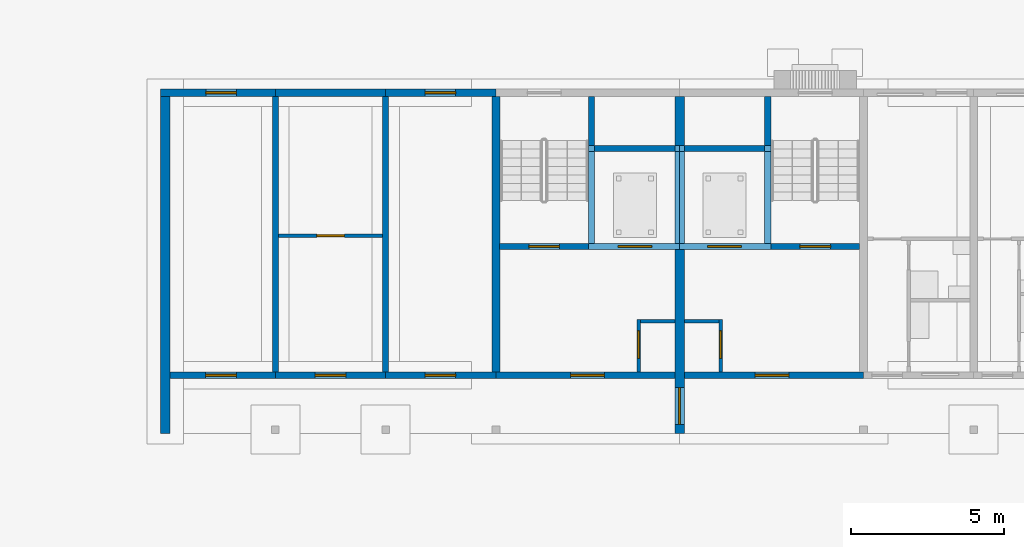
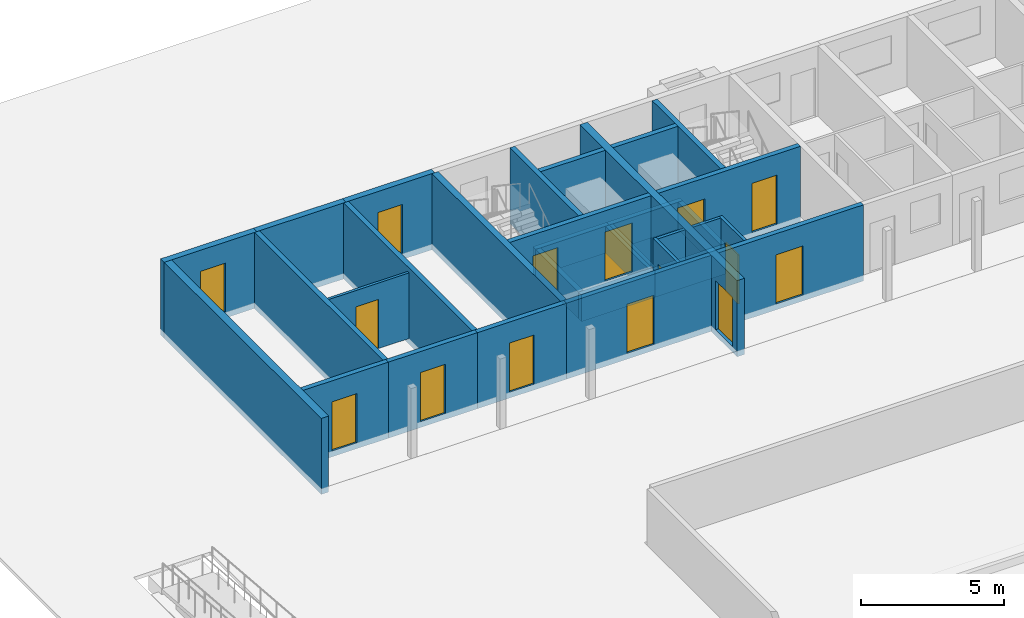
# One storey, part 47 of 112: 32 walls, 15 doors, 15 openings.
"""IFC4 building model written with IfcOpenShell, lengths in metres."""

from ifc_helpers import new_model, si_unit, direction, frame, frame_2d, origin, place, context, subcontext, project, spatial, rectangle, extrude, material, layer, layer_set, type_object, element, fill, save


model = new_model("IFC4")

# Units and contexts
model_context = context("Model", 3, precision=1e-05, world=origin(), true_north=direction((0.0, 1.0)))
body_context = subcontext(model_context, "Body", "Model", "MODEL_VIEW")
ifc_project = project(units=[si_unit("LENGTHUNIT", "METRE"), si_unit("AREAUNIT", "SQUARE_METRE"), si_unit("VOLUMEUNIT", "CUBIC_METRE"), si_unit("PLANEANGLEUNIT", "RADIAN"), si_unit("MASSUNIT", "GRAM", prefix="KILO")], contexts=[model_context])

# Site, building, storey
site_placement = place(None, origin())
site = spatial("IfcSite", under=ifc_project, at=site_placement, CompositionType="ELEMENT")
building_placement = place(site_placement, origin())
building = spatial("IfcBuilding", under=site, at=building_placement, Name="Ridgestep Commons", CompositionType="ELEMENT")
storey_placement = place(building_placement, origin())
storey = spatial("IfcBuildingStorey", under=building, at=storey_placement, Name="L00", CompositionType="ELEMENT", Elevation=0.0)

# Wall
ifc_material_1 = material(Name="Concrete C30/37", Category="concrete")
ifc_layer_1 = layer(ifc_material_1, 0.25)
ifc_layer_set_1 = layer_set([ifc_layer_1], Name="Core cross wall 250")
wall_type_1 = type_object("IfcWallType", Name="Core cross wall 250", PredefinedType="SHEAR", material=ifc_layer_set_1)
wall_1_placement = place(storey_placement, frame((22.800048828125, 68.0, -0.25), z_axis=(0.0, 0.0, 1.0), x_axis=(0.0, 1.0, 0.0)))
element("IfcWall", 1, at=wall_1_placement, inside=storey, type_object=wall_type_1, Name="Cross wall B-00-0228", PredefinedType="SHEAR", context=body_context, shape_type="SweptSolid", body=[
    extrude(rectangle(XDim=9.0, YDim=0.25, at=frame_2d((4.5, 0.0))), origin(), (0.0, 0.0, 1.0), 3.25),
])

# Wall, opening, door
ifc_material_2 = material(Name="Concrete C30/37", Category="concrete")
ifc_layer_2 = layer(ifc_material_2, 0.199951171875)
ifc_layer_set_2 = layer_set([ifc_layer_2], Name="Core south wall 200")
wall_type_2 = type_object("IfcWallType", Name="Core south wall 200", PredefinedType="SHEAR", material=ifc_layer_set_2)
wall_2_placement = place(storey_placement, frame((22.800048828125, 67.89990234375, -0.25), z_axis=(0.0, 0.0, 1.0), x_axis=(1.0, 0.0, 0.0)))
wall_2 = element("IfcWall", 2, at=wall_2_placement, inside=storey, type_object=wall_type_2, Name="Core south wall B1C L00", PredefinedType="SHEAR", context=body_context, shape_type="SweptSolid", body=[
    extrude(rectangle(XDim=5.849853515625, YDim=0.199951171875, at=frame_2d((2.9248046875, 0.0))), origin(), (0.0, 0.0, 1.0), 3.25),
])
opening_1_placement = place(wall_2_placement, frame((2.4375, 0.0, 0.25)))
opening_1 = element("IfcOpeningElement", 3, at=opening_1_placement, cuts=wall_2, Name="Opening B1C/00/1", PredefinedType="OPENING", context=body_context, shape_type="SweptSolid", body=[
    extrude(rectangle(XDim=1.10009765625, YDim=2.10009765625, at=frame_2d((0.550048828125, 1.050048828125))), frame((0.0, 0.10986328125, 0.0), z_axis=(0.0, -1.0, 0.0), x_axis=(1.0, 0.0, 0.0)), (0.0, 0.0, 1.0), 0.219970703125),
])
ifc_material_3 = material(Name="Steel fire door", Category="steel")
door_type_1 = type_object("IfcDoorType", Name="Lobby door 1100 x 2100 FD60", OperationType="NOTDEFINED", PredefinedType="DOOR", material=ifc_material_3)
door_1_placement = place(opening_1_placement, origin())
door_1 = element("IfcDoor", 4, at=door_1_placement, inside=storey, type_object=door_type_1, Name="Lobby door B1C/00/1", OperationType="SINGLE_SWING_LEFT", OverallHeight=2.10009765625, OverallWidth=1.10009765625, PredefinedType="DOOR", context=body_context, shape_type="SweptSolid", body=[
    extrude(rectangle(XDim=1.10009765625, YDim=2.10009765625, at=frame_2d((0.550048828125, 1.050048828125))), frame((0.0, 0.02490234375, 0.0), z_axis=(0.0, -1.0, 0.0), x_axis=(1.0, 0.0, 0.0)), (0.0, 0.0, 1.0), 0.050048828125),
])
fill(opening_1, door_1)

wall_3_placement = place(storey_placement, frame((28.949951171875, 67.89990234375, -0.25), z_axis=(0.0, 0.0, 1.0), x_axis=(1.0, 0.0, 0.0)))
wall_3 = element("IfcWall", 5, at=wall_3_placement, inside=storey, type_object=wall_type_2, Name="Core south wall B2C L00", PredefinedType="SHEAR", context=body_context, shape_type="SweptSolid", body=[
    extrude(rectangle(XDim=5.85009765625, YDim=0.199951171875, at=frame_2d((2.925048828125, 0.0))), origin(), (0.0, 0.0, 1.0), 3.25),
])
opening_2_placement = place(wall_3_placement, frame((2.3125, 0.0, 0.25)))
opening_2 = element("IfcOpeningElement", 6, at=opening_2_placement, cuts=wall_3, Name="Opening B2C/00/1", PredefinedType="OPENING", context=body_context, shape_type="SweptSolid", body=[
    extrude(rectangle(XDim=1.10009765625, YDim=2.10009765625, at=frame_2d((0.550048828125, 1.050048828125))), frame((0.0, 0.10986328125, 0.0), z_axis=(0.0, -1.0, 0.0), x_axis=(1.0, 0.0, 0.0)), (0.0, 0.0, 1.0), 0.219970703125),
])
door_2_placement = place(opening_2_placement, origin())
door_2 = element("IfcDoor", 7, at=door_2_placement, inside=storey, type_object=door_type_1, Name="Lobby door B2C/00/1", OperationType="SINGLE_SWING_LEFT", OverallHeight=2.10009765625, OverallWidth=1.10009765625, PredefinedType="DOOR", context=body_context, shape_type="SweptSolid", body=[
    extrude(rectangle(XDim=1.10009765625, YDim=2.10009765625, at=frame_2d((0.550048828125, 1.050048828125))), frame((0.0, 0.02490234375, 0.0), z_axis=(0.0, -1.0, 0.0), x_axis=(1.0, 0.0, 0.0)), (0.0, 0.0, 1.0), 0.050048828125),
])
fill(opening_2, door_2)

ifc_material_4 = material(Name="Concrete C30/37", Category="concrete")
ifc_layer_3 = layer(ifc_material_4, 0.1201171875)
ifc_layer_set_3 = layer_set([ifc_layer_3], Name="Core wall 120")
wall_type_3 = type_object("IfcWallType", Name="Core wall 120", PredefinedType="SHEAR", material=ifc_layer_set_3)
wall_4_placement = place(storey_placement, frame((27.4599609375, 68.0, -0.25), z_axis=(0.0, 0.0, 1.0), x_axis=(0.0, 1.0, 0.0)))
wall_4 = element("IfcWall", 8, at=wall_4_placement, inside=storey, type_object=wall_type_3, Name="Core riser w wall B1C L00", PredefinedType="SHEAR", context=body_context, shape_type="SweptSolid", body=[
    extrude(rectangle(XDim=1.719970703125, YDim=0.1201171875, at=frame_2d((0.85986328125, 0.0))), origin(), (0.0, 0.0, 1.0), 3.25),
])
opening_3_placement = place(wall_4_placement, frame((0.449951171875, 0.0, 0.25)))
opening_3 = element("IfcOpeningElement", 9, at=opening_3_placement, cuts=wall_4, Name="Opening B1C/00/4", PredefinedType="OPENING", context=body_context, shape_type="SweptSolid", body=[
    extrude(rectangle(XDim=0.89990234375, YDim=2.10009765625, at=frame_2d((0.449951171875, 1.050048828125))), frame((0.0, 0.070068359375, 0.0), z_axis=(0.0, -1.0, 0.0), x_axis=(1.0, 0.0, 0.0)), (0.0, 0.0, 1.0), 0.14013671875),
])
ifc_material_5 = material(Name="Steel fire door", Category="steel")
door_type_2 = type_object("IfcDoorType", Name="Riser door 900 x 2100 FD60", OperationType="NOTDEFINED", PredefinedType="DOOR", material=ifc_material_5)
door_3_placement = place(opening_3_placement, origin())
door_3 = element("IfcDoor", 10, at=door_3_placement, inside=storey, type_object=door_type_2, Name="Riser door B1C/00/4", OperationType="SINGLE_SWING_LEFT", OverallHeight=2.10009765625, OverallWidth=0.89990234375, PredefinedType="DOOR", context=body_context, shape_type="SweptSolid", body=[
    extrude(rectangle(XDim=0.89990234375, YDim=2.10009765625, at=frame_2d((0.449951171875, 1.050048828125))), frame((0.0, 0.02490234375, 0.0), z_axis=(0.0, -1.0, 0.0), x_axis=(1.0, 0.0, 0.0)), (0.0, 0.0, 1.0), 0.050048828125),
])
fill(opening_3, door_3)

# Wall
wall_5_placement = place(storey_placement, frame((27.52001953125, 69.659912109375, -0.25), z_axis=(0.0, 0.0, 1.0), x_axis=(1.0, 0.0, 0.0)))
element("IfcWall", 11, at=wall_5_placement, inside=storey, type_object=wall_type_3, Name="Core riser n wall B1C L00", PredefinedType="SHEAR", context=body_context, shape_type="SweptSolid", body=[
    extrude(rectangle(XDim=1.1298828125, YDim=0.1201171875, at=frame_2d((0.56494140625, 0.0))), origin(), (0.0, 0.0, 1.0), 3.25),
])

# Wall, opening, door
wall_6_placement = place(storey_placement, frame((30.139892578125, 68.0, -0.25), z_axis=(0.0, 0.0, 1.0), x_axis=(0.0, 1.0, 0.0)))
wall_6 = element("IfcWall", 12, at=wall_6_placement, inside=storey, type_object=wall_type_3, Name="Core riser w wall B2C L00", PredefinedType="SHEAR", context=body_context, shape_type="SweptSolid", body=[
    extrude(rectangle(XDim=1.719970703125, YDim=0.1201171875, at=frame_2d((0.85986328125, 0.0))), origin(), (0.0, 0.0, 1.0), 3.25),
])
opening_4_placement = place(wall_6_placement, frame((0.449951171875, 0.0, 0.25)))
opening_4 = element("IfcOpeningElement", 13, at=opening_4_placement, cuts=wall_6, Name="Opening B2C/00/4", PredefinedType="OPENING", context=body_context, shape_type="SweptSolid", body=[
    extrude(rectangle(XDim=0.89990234375, YDim=2.10009765625, at=frame_2d((0.449951171875, 1.050048828125))), frame((0.0, 0.070068359375, 0.0), z_axis=(0.0, -1.0, 0.0), x_axis=(1.0, 0.0, 0.0)), (0.0, 0.0, 1.0), 0.14013671875),
])
door_4_placement = place(opening_4_placement, origin())
door_4 = element("IfcDoor", 14, at=door_4_placement, inside=storey, type_object=door_type_2, Name="Riser door B2C/00/4", OperationType="SINGLE_SWING_RIGHT", OverallHeight=2.10009765625, OverallWidth=0.89990234375, PredefinedType="DOOR", context=body_context, shape_type="SweptSolid", body=[
    extrude(rectangle(XDim=0.89990234375, YDim=2.10009765625, at=frame_2d((0.449951171875, 1.050048828125))), frame((0.0, 0.02490234375, 0.0), z_axis=(0.0, -1.0, 0.0), x_axis=(1.0, 0.0, 0.0)), (0.0, 0.0, 1.0), 0.050048828125),
])
fill(opening_4, door_4)

# Walls
wall_7_placement = place(storey_placement, frame((28.949951171875, 69.659912109375, -0.25), z_axis=(0.0, 0.0, 1.0), x_axis=(1.0, 0.0, 0.0)))
element("IfcWall", 15, at=wall_7_placement, inside=storey, type_object=wall_type_3, Name="Core riser n wall B2C L00", PredefinedType="SHEAR", context=body_context, shape_type="SweptSolid", body=[
    extrude(rectangle(XDim=1.130126953125, YDim=0.1201171875, at=frame_2d((0.56494140625, 0.0))), origin(), (0.0, 0.0, 1.0), 3.25),
])
ifc_material_6 = material(Name="Concrete C30/37", Category="concrete")
ifc_layer_4 = layer(ifc_material_6, 0.14990234375)
ifc_layer_set_4 = layer_set([ifc_layer_4], Name="Core wall 150")
wall_type_4 = type_object("IfcWallType", Name="Core wall 150", PredefinedType="SHEAR", material=ifc_layer_set_4)
for number, where, z_axis, x_axis, name in (
    (16, (28.72509765625, 72.199951171875, -1.39990234375), (0.0, 0.0, 1.0), (0.0, 1.0, 0.0), "Lift pit wall B1C"),
    (17, (28.875, 72.199951171875, -1.39990234375), (0.0, 0.0, 1.0), (0.0, 1.0, 0.0), "Lift pit wall B2C"),
):
    element("IfcWall", number, at=place(storey_placement, frame(where, z_axis=z_axis, x_axis=x_axis)), inside=storey, type_object=wall_type_4, Name=name, PredefinedType="SHEAR", context=body_context, shape_type="SweptSolid", body=[
        extrude(rectangle(XDim=3.0, YDim=0.14990234375, at=frame_2d((1.5, 0.0))), origin(), (0.0, 0.0, 1.0), 1.14990234375),
    ])

# Wall, openings, doors
ifc_material_7 = material(Name="Concrete C30/37", Category="concrete")
ifc_layer_5 = layer(ifc_material_7, 0.199951171875)
ifc_layer_set_5 = layer_set([ifc_layer_5], Name="Core wall 200")
wall_type_5 = type_object("IfcWallType", Name="Core wall 200", PredefinedType="SHEAR", material=ifc_layer_set_5)
wall_8_placement = place(storey_placement, frame((22.925048828125, 72.10009765625, -0.25), z_axis=(0.0, 0.0, 1.0), x_axis=(1.0, 0.0, 0.0)))
wall_8 = element("IfcWall", 18, at=wall_8_placement, inside=storey, type_object=wall_type_5, Name="Core lobby wall B1C L00", PredefinedType="SHEAR", context=body_context, shape_type="SweptSolid", body=[
    extrude(rectangle(XDim=5.724853515625, YDim=0.199951171875, at=frame_2d((2.8623046875, 0.0))), origin(), (0.0, 0.0, 1.0), 3.25),
])
opening_5_placement = place(wall_8_placement, frame((0.949951171875, 0.0, 0.25)))
opening_5 = element("IfcOpeningElement", 19, at=opening_5_placement, cuts=wall_8, Name="Opening B1C/00/2", PredefinedType="OPENING", context=body_context, shape_type="SweptSolid", body=[
    extrude(rectangle(XDim=1.0, YDim=2.10009765625, at=frame_2d((0.5, 1.050048828125))), frame((0.0, 0.10986328125, 0.0), z_axis=(0.0, -1.0, 0.0), x_axis=(1.0, 0.0, 0.0)), (0.0, 0.0, 1.0), 0.219970703125),
])
opening_6_placement = place(wall_8_placement, frame((3.862548828125, 0.0, 0.25)))
opening_6 = element("IfcOpeningElement", 20, at=opening_6_placement, cuts=wall_8, Name="Opening B1C/00/3", PredefinedType="OPENING", context=body_context, shape_type="SweptSolid", body=[
    extrude(rectangle(XDim=1.10009765625, YDim=2.10009765625, at=frame_2d((0.550048828125, 1.050048828125))), frame((0.0, 0.10986328125, 0.0), z_axis=(0.0, -1.0, 0.0), x_axis=(1.0, 0.0, 0.0)), (0.0, 0.0, 1.0), 0.219970703125),
])
ifc_material_8 = material(Name="Stainless steel", Category="steel")
door_type_3 = type_object("IfcDoorType", Name="Lift landing door 1100 x 2100 FD60", OperationType="DOUBLE_DOOR_SLIDING", PredefinedType="DOOR", material=ifc_material_8)
door_5_placement = place(opening_6_placement, origin())
door_5 = element("IfcDoor", 21, at=door_5_placement, inside=storey, type_object=door_type_3, Name="Landing door LD B1C L00", OperationType="DOUBLE_DOOR_SLIDING", OverallHeight=2.10009765625, OverallWidth=1.10009765625, PredefinedType="DOOR", context=body_context, shape_type="SweptSolid", body=[
    extrude(rectangle(XDim=1.10009765625, YDim=2.10009765625, at=frame_2d((0.550048828125, 1.050048828125))), frame((0.0, 0.02490234375, 0.0), z_axis=(0.0, -1.0, 0.0), x_axis=(1.0, 0.0, 0.0)), (0.0, 0.0, 1.0), 0.050048828125),
])
fill(opening_6, door_5)
ifc_material_9 = material(Name="Steel fire door", Category="steel")
door_type_4 = type_object("IfcDoorType", Name="Stair door 1000 x 2100 FD60", OperationType="NOTDEFINED", PredefinedType="DOOR", material=ifc_material_9)
door_6_placement = place(opening_5_placement, origin())
door_6 = element("IfcDoor", 22, at=door_6_placement, inside=storey, type_object=door_type_4, Name="Stair door B1C/00/2", OperationType="SINGLE_SWING_RIGHT", OverallHeight=2.10009765625, OverallWidth=1.0, PredefinedType="DOOR", context=body_context, shape_type="SweptSolid", body=[
    extrude(rectangle(XDim=1.0, YDim=2.10009765625, at=frame_2d((0.5, 1.050048828125))), frame((0.0, 0.02490234375, 0.0), z_axis=(0.0, -1.0, 0.0), x_axis=(1.0, 0.0, 0.0)), (0.0, 0.0, 1.0), 0.050048828125),
])
fill(opening_5, door_6)

# Walls
wall_9_placement = place(storey_placement, frame((25.925048828125, 72.199951171875, -0.25), z_axis=(0.0, 0.0, 1.0), x_axis=(0.0, 1.0, 0.0)))
element("IfcWall", 23, at=wall_9_placement, inside=storey, type_object=wall_type_5, Name="Core stair wall B1C L00", PredefinedType="SHEAR", context=body_context, shape_type="SweptSolid", body=[
    extrude(rectangle(XDim=4.800048828125, YDim=0.199951171875, at=frame_2d((2.39990234375, 0.0))), origin(), (0.0, 0.0, 1.0), 3.25),
])
wall_10_placement = place(storey_placement, frame((26.02490234375, 75.300048828125, -0.25), z_axis=(0.0, 0.0, 1.0), x_axis=(1.0, 0.0, 0.0)))
element("IfcWall", 24, at=wall_10_placement, inside=storey, type_object=wall_type_5, Name="Core duct wall B1C L00", PredefinedType="SHEAR", context=body_context, shape_type="SweptSolid", body=[
    extrude(rectangle(XDim=2.625, YDim=0.199951171875, at=frame_2d((1.3125, 0.0))), origin(), (0.0, 0.0, 1.0), 3.25),
])

# Wall, openings, doors
wall_11_placement = place(storey_placement, frame((28.949951171875, 72.10009765625, -0.25), z_axis=(0.0, 0.0, 1.0), x_axis=(1.0, 0.0, 0.0)))
wall_11 = element("IfcWall", 25, at=wall_11_placement, inside=storey, type_object=wall_type_5, Name="Core lobby wall B2C L00", PredefinedType="SHEAR", context=body_context, shape_type="SweptSolid", body=[
    extrude(rectangle(XDim=5.72509765625, YDim=0.199951171875, at=frame_2d((2.862548828125, 0.0))), origin(), (0.0, 0.0, 1.0), 3.25),
])
opening_7_placement = place(wall_11_placement, frame((3.77490234375, 0.0, 0.25)))
opening_7 = element("IfcOpeningElement", 26, at=opening_7_placement, cuts=wall_11, Name="Opening B2C/00/2", PredefinedType="OPENING", context=body_context, shape_type="SweptSolid", body=[
    extrude(rectangle(XDim=1.0, YDim=2.10009765625, at=frame_2d((0.5, 1.050048828125))), frame((0.0, 0.10986328125, 0.0), z_axis=(0.0, -1.0, 0.0), x_axis=(1.0, 0.0, 0.0)), (0.0, 0.0, 1.0), 0.219970703125),
])
opening_8_placement = place(wall_11_placement, frame((0.762451171875, 0.0, 0.25)))
opening_8 = element("IfcOpeningElement", 27, at=opening_8_placement, cuts=wall_11, Name="Opening B2C/00/3", PredefinedType="OPENING", context=body_context, shape_type="SweptSolid", body=[
    extrude(rectangle(XDim=1.10009765625, YDim=2.10009765625, at=frame_2d((0.550048828125, 1.050048828125))), frame((0.0, 0.10986328125, 0.0), z_axis=(0.0, -1.0, 0.0), x_axis=(1.0, 0.0, 0.0)), (0.0, 0.0, 1.0), 0.219970703125),
])
door_7_placement = place(opening_8_placement, origin())
door_7 = element("IfcDoor", 28, at=door_7_placement, inside=storey, type_object=door_type_3, Name="Landing door LD B2C L00", OperationType="DOUBLE_DOOR_SLIDING", OverallHeight=2.10009765625, OverallWidth=1.10009765625, PredefinedType="DOOR", context=body_context, shape_type="SweptSolid", body=[
    extrude(rectangle(XDim=1.10009765625, YDim=2.10009765625, at=frame_2d((0.550048828125, 1.050048828125))), frame((0.0, 0.02490234375, 0.0), z_axis=(0.0, -1.0, 0.0), x_axis=(1.0, 0.0, 0.0)), (0.0, 0.0, 1.0), 0.050048828125),
])
fill(opening_8, door_7)
door_8_placement = place(opening_7_placement, origin())
door_8 = element("IfcDoor", 29, at=door_8_placement, inside=storey, type_object=door_type_4, Name="Stair door B2C/00/2", OperationType="SINGLE_SWING_RIGHT", OverallHeight=2.10009765625, OverallWidth=1.0, PredefinedType="DOOR", context=body_context, shape_type="SweptSolid", body=[
    extrude(rectangle(XDim=1.0, YDim=2.10009765625, at=frame_2d((0.5, 1.050048828125))), frame((0.0, 0.02490234375, 0.0), z_axis=(0.0, -1.0, 0.0), x_axis=(1.0, 0.0, 0.0)), (0.0, 0.0, 1.0), 0.050048828125),
])
fill(opening_7, door_8)

# Walls
wall_12_placement = place(storey_placement, frame((31.675048828125, 72.199951171875, -0.25), z_axis=(0.0, 0.0, 1.0), x_axis=(0.0, 1.0, 0.0)))
element("IfcWall", 30, at=wall_12_placement, inside=storey, type_object=wall_type_5, Name="Core stair wall B2C L00", PredefinedType="SHEAR", context=body_context, shape_type="SweptSolid", body=[
    extrude(rectangle(XDim=4.800048828125, YDim=0.199951171875, at=frame_2d((2.39990234375, 0.0))), origin(), (0.0, 0.0, 1.0), 3.25),
])
wall_13_placement = place(storey_placement, frame((28.949951171875, 75.300048828125, -0.25), z_axis=(0.0, 0.0, 1.0), x_axis=(1.0, 0.0, 0.0)))
element("IfcWall", 31, at=wall_13_placement, inside=storey, type_object=wall_type_5, Name="Core duct wall B2C L00", PredefinedType="SHEAR", context=body_context, shape_type="SweptSolid", body=[
    extrude(rectangle(XDim=2.625, YDim=0.199951171875, at=frame_2d((1.3125, 0.0))), origin(), (0.0, 0.0, 1.0), 3.25),
])
for number, where, z_axis, x_axis, name in (
    (32, (25.824951171875, 72.10009765625, -1.39990234375), (0.0, 0.0, 1.0), (1.0, 0.0, 0.0), "Lift pit wall B1C"),
    (33, (25.824951171875, 75.300048828125, -1.39990234375), (0.0, 0.0, 1.0), (1.0, 0.0, 0.0), "Lift pit wall B1C"),
):
    element("IfcWall", number, at=place(storey_placement, frame(where, z_axis=z_axis, x_axis=x_axis)), inside=storey, type_object=wall_type_5, Name=name, PredefinedType="SHEAR", context=body_context, shape_type="SweptSolid", body=[
        extrude(rectangle(XDim=2.97509765625, YDim=0.199951171875, at=frame_2d((1.487548828125, 0.0))), origin(), (0.0, 0.0, 1.0), 1.14990234375),
    ])
wall_14_placement = place(storey_placement, frame((25.925048828125, 72.199951171875, -1.39990234375), z_axis=(0.0, 0.0, 1.0), x_axis=(0.0, 1.0, 0.0)))
element("IfcWall", 34, at=wall_14_placement, inside=storey, type_object=wall_type_5, Name="Lift pit wall B1C", PredefinedType="SHEAR", context=body_context, shape_type="SweptSolid", body=[
    extrude(rectangle(XDim=3.0, YDim=0.199951171875, at=frame_2d((1.5, 0.0))), origin(), (0.0, 0.0, 1.0), 1.14990234375),
])
for number, where, z_axis, x_axis, name in (
    (35, (28.800048828125, 72.10009765625, -1.39990234375), (0.0, 0.0, 1.0), (1.0, 0.0, 0.0), "Lift pit wall B2C"),
    (36, (28.800048828125, 75.300048828125, -1.39990234375), (0.0, 0.0, 1.0), (1.0, 0.0, 0.0), "Lift pit wall B2C"),
):
    element("IfcWall", number, at=place(storey_placement, frame(where, z_axis=z_axis, x_axis=x_axis)), inside=storey, type_object=wall_type_5, Name=name, PredefinedType="SHEAR", context=body_context, shape_type="SweptSolid", body=[
        extrude(rectangle(XDim=2.974853515625, YDim=0.199951171875, at=frame_2d((1.4873046875, 0.0))), origin(), (0.0, 0.0, 1.0), 1.14990234375),
    ])
wall_15_placement = place(storey_placement, frame((31.675048828125, 72.199951171875, -1.39990234375), z_axis=(0.0, 0.0, 1.0), x_axis=(0.0, 1.0, 0.0)))
element("IfcWall", 37, at=wall_15_placement, inside=storey, type_object=wall_type_5, Name="Lift pit wall B2C", PredefinedType="SHEAR", context=body_context, shape_type="SweptSolid", body=[
    extrude(rectangle(XDim=3.0, YDim=0.199951171875, at=frame_2d((1.5, 0.0))), origin(), (0.0, 0.0, 1.0), 1.14990234375),
])
ifc_material_10 = material(Name="Precast concrete C40/50", Category="concrete")
ifc_layer_6 = layer(ifc_material_10, 0.199951171875)
ifc_layer_set_6 = layer_set([ifc_layer_6], Name="Cross wall 200")
wall_type_6 = type_object("IfcWallType", Name="Cross wall 200", PredefinedType="SHEAR", material=ifc_layer_set_6)
for number, where, z_axis, x_axis, name in (
    (38, (15.60009765625, 68.0, -0.25), (0.0, 0.0, 1.0), (0.0, 1.0, 0.0), "Cross wall B-00-0156"),
    (39, (19.199951171875, 68.0, -0.25), (0.0, 0.0, 1.0), (0.0, 1.0, 0.0), "Cross wall B-00-0192"),
):
    element("IfcWall", number, at=place(storey_placement, frame(where, z_axis=z_axis, x_axis=x_axis)), inside=storey, type_object=wall_type_6, Name=name, PredefinedType="SHEAR", context=body_context, shape_type="SweptSolid", body=[
        extrude(rectangle(XDim=9.0, YDim=0.199951171875, at=frame_2d((4.5, 0.0))), origin(), (0.0, 0.0, 1.0), 3.25),
    ])

# Wall, opening, door
ifc_material_11 = material(Name="Precast concrete C40/50", Category="concrete")
ifc_layer_7 = layer(ifc_material_11, 0.300048828125)
ifc_layer_set_7 = layer_set([ifc_layer_7], Name="Division wall 300")
wall_type_7 = type_object("IfcWallType", Name="Division wall 300", PredefinedType="SHEAR", material=ifc_layer_set_7)
wall_16_placement = place(storey_placement, frame((28.800048828125, 66.0, -0.25), z_axis=(0.0, 0.0, 1.0), x_axis=(0.0, 1.0, 0.0)))
wall_16 = element("IfcWall", 40, at=wall_16_placement, inside=storey, type_object=wall_type_7, Name="Cross wall B-00-0288", PredefinedType="SHEAR", context=body_context, shape_type="SweptSolid", body=[
    extrude(rectangle(XDim=11.0, YDim=0.300048828125, at=frame_2d((5.5, 0.0))), origin(), (0.0, 0.0, 1.0), 3.25),
])
opening_9_placement = place(wall_16_placement, frame((0.300048828125, 0.0, 0.25)))
opening_9 = element("IfcOpeningElement", 41, at=opening_9_placement, cuts=wall_16, Name="Opening B/00/G0288", PredefinedType="OPENING", context=body_context, shape_type="SweptSolid", body=[
    extrude(rectangle(XDim=1.199951171875, YDim=2.10009765625, at=frame_2d((0.60009765625, 1.050048828125))), frame((0.0, 0.159912109375, 0.0), z_axis=(0.0, -1.0, 0.0), x_axis=(1.0, 0.0, 0.0)), (0.0, 0.0, 1.0), 0.320068359375),
])
ifc_material_12 = material(Name="Steel fire door", Category="steel")
door_type_5 = type_object("IfcDoorType", Name="Division fire door 1200 x 2100 EI 240", OperationType="DOUBLE_DOOR_SINGLE_SWING", PredefinedType="DOOR", material=ifc_material_12)
door_9_placement = place(opening_9_placement, origin())
door_9 = element("IfcDoor", 42, at=door_9_placement, inside=storey, type_object=door_type_5, Name="Division fire door B/00/G0288", OperationType="DOUBLE_DOOR_SINGLE_SWING", OverallHeight=2.10009765625, OverallWidth=1.199951171875, PredefinedType="DOOR", context=body_context, shape_type="SweptSolid", body=[
    extrude(rectangle(XDim=1.199951171875, YDim=2.10009765625, at=frame_2d((0.60009765625, 1.050048828125))), frame((0.0, 0.02490234375, 0.0), z_axis=(0.0, -1.0, 0.0), x_axis=(1.0, 0.0, 0.0)), (0.0, 0.0, 1.0), 0.050048828125),
])
fill(opening_9, door_9)

# Wall
ifc_material_13 = material(Name="Precast concrete C40/50", Category="concrete")
ifc_layer_8 = layer(ifc_material_13, 0.300048828125)
ifc_layer_set_8 = layer_set([ifc_layer_8], Name="Exposed division wall 300")
wall_type_8 = type_object("IfcWallType", Name="Exposed division wall 300", PredefinedType="SHEAR", material=ifc_layer_set_8)
wall_17_placement = place(storey_placement, frame((12.0, 66.0, -0.25), z_axis=(0.0, 0.0, 1.0), x_axis=(0.0, 1.0, 0.0)))
element("IfcWall", 43, at=wall_17_placement, inside=storey, type_object=wall_type_8, Name="Cross wall B-00-0120", PredefinedType="SHEAR", context=body_context, shape_type="SweptSolid", body=[
    extrude(rectangle(XDim=11.0, YDim=0.300048828125, at=frame_2d((5.5, 0.0))), origin(), (0.0, 0.0, 1.0), 3.25),
])

# Wall, opening, door
ifc_material_14 = material(Name="Precast concrete C40/50", Category="concrete")
ifc_layer_9 = layer(ifc_material_14, 0.25)
ifc_layer_set_9 = layer_set([ifc_layer_9], Name="North facade panel 250")
wall_type_9 = type_object("IfcWallType", Name="North facade panel 250", PredefinedType="SOLIDWALL", material=ifc_layer_set_9)
wall_18_placement = place(storey_placement, frame((11.85009765625, 77.125, -0.25), z_axis=(0.0, 0.0, 1.0), x_axis=(1.0, 0.0, 0.0)))
wall_18 = element("IfcWall", 44, at=wall_18_placement, inside=storey, type_object=wall_type_9, Name="North panel B1T1 L00", PredefinedType="SOLIDWALL", context=body_context, shape_type="SweptSolid", body=[
    extrude(rectangle(XDim=3.75, YDim=0.25, at=frame_2d((1.875, 0.0))), origin(), (0.0, 0.0, 1.0), 3.25),
])
opening_10_placement = place(wall_18_placement, frame((1.47509765625, 0.0, 0.25)))
opening_10 = element("IfcOpeningElement", 45, at=opening_10_placement, cuts=wall_18, Name="Opening B1-00s/2", PredefinedType="OPENING", context=body_context, shape_type="SweptSolid", body=[
    extrude(rectangle(XDim=1.0, YDim=2.10009765625, at=frame_2d((0.5, 1.050048828125))), frame((0.0, 0.135009765625, 0.0), z_axis=(0.0, -1.0, 0.0), x_axis=(1.0, 0.0, 0.0)), (0.0, 0.0, 1.0), 0.27001953125),
])
ifc_material_15 = material(Name="Steel door leaf", Category="steel")
door_type_6 = type_object("IfcDoorType", Name="Exterior door 1000 x 2100", OperationType="NOTDEFINED", PredefinedType="DOOR", material=ifc_material_15)
door_10_placement = place(opening_10_placement, origin())
door_10 = element("IfcDoor", 46, at=door_10_placement, inside=storey, type_object=door_type_6, Name="Exterior door B1-00s/2", OperationType="SINGLE_SWING_LEFT", OverallHeight=2.10009765625, OverallWidth=1.0, PredefinedType="DOOR", context=body_context, shape_type="SweptSolid", body=[
    extrude(rectangle(XDim=1.0, YDim=2.10009765625, at=frame_2d((0.5, 1.050048828125))), frame((0.0, 0.02490234375, 0.0), z_axis=(0.0, -1.0, 0.0), x_axis=(1.0, 0.0, 0.0)), (0.0, 0.0, 1.0), 0.050048828125),
])
fill(opening_10, door_10)

# Wall
wall_19_placement = place(storey_placement, frame((15.60009765625, 77.125, -0.25), z_axis=(0.0, 0.0, 1.0), x_axis=(1.0, 0.0, 0.0)))
element("IfcWall", 47, at=wall_19_placement, inside=storey, type_object=wall_type_9, Name="North panel B1T2 L00", PredefinedType="SOLIDWALL", context=body_context, shape_type="SweptSolid", body=[
    extrude(rectangle(XDim=3.599853515625, YDim=0.25, at=frame_2d((1.7998046875, 0.0))), origin(), (0.0, 0.0, 1.0), 3.25),
])

# Wall, opening, door
wall_20_placement = place(storey_placement, frame((19.199951171875, 77.125, -0.25), z_axis=(0.0, 0.0, 1.0), x_axis=(1.0, 0.0, 0.0)))
wall_20 = element("IfcWall", 48, at=wall_20_placement, inside=storey, type_object=wall_type_9, Name="North panel B1T3 L00", PredefinedType="SOLIDWALL", context=body_context, shape_type="SweptSolid", body=[
    extrude(rectangle(XDim=3.60009765625, YDim=0.25, at=frame_2d((1.800048828125, 0.0))), origin(), (0.0, 0.0, 1.0), 3.25),
])
opening_11_placement = place(wall_20_placement, frame((1.28759765625, 0.0, 0.25)))
opening_11 = element("IfcOpeningElement", 49, at=opening_11_placement, cuts=wall_20, Name="Opening B1-00s/6", PredefinedType="OPENING", context=body_context, shape_type="SweptSolid", body=[
    extrude(rectangle(XDim=1.0, YDim=2.10009765625, at=frame_2d((0.5, 1.050048828125))), frame((0.0, 0.135009765625, 0.0), z_axis=(0.0, -1.0, 0.0), x_axis=(1.0, 0.0, 0.0)), (0.0, 0.0, 1.0), 0.27001953125),
])
door_11_placement = place(opening_11_placement, origin())
door_11 = element("IfcDoor", 50, at=door_11_placement, inside=storey, type_object=door_type_6, Name="Exterior door B1-00s/6", OperationType="SINGLE_SWING_LEFT", OverallHeight=2.10009765625, OverallWidth=1.0, PredefinedType="DOOR", context=body_context, shape_type="SweptSolid", body=[
    extrude(rectangle(XDim=1.0, YDim=2.10009765625, at=frame_2d((0.5, 1.050048828125))), frame((0.0, 0.02490234375, 0.0), z_axis=(0.0, -1.0, 0.0), x_axis=(1.0, 0.0, 0.0)), (0.0, 0.0, 1.0), 0.050048828125),
])
fill(opening_11, door_11)

ifc_material_16 = material(Name="Common brick 110 mm", Category="masonry")
ifc_layer_10 = layer(ifc_material_16, 0.110107421875)
ifc_layer_set_10 = layer_set([ifc_layer_10], Name="Partition 110")
wall_type_10 = type_object("IfcWallType", Name="Partition 110", PredefinedType="PARTITIONING", material=ifc_layer_set_10)
wall_21_placement = place(storey_placement, frame((15.699951171875, 72.455078125, 0.0), z_axis=(0.0, 0.0, 1.0), x_axis=(1.0, 0.0, 0.0)))
wall_21 = element("IfcWall", 51, at=wall_21_placement, inside=storey, type_object=wall_type_10, Name="Partition B1-00s", PredefinedType="PARTITIONING", context=body_context, shape_type="SweptSolid", body=[
    extrude(rectangle(XDim=3.400146484375, YDim=0.110107421875, at=frame_2d((1.7001953125, 0.0))), origin(), (0.0, 0.0, 1.0), 2.800048828125),
])
opening_12_placement = place(wall_21_placement, frame((1.25, 0.0, 0.0)))
opening_12 = element("IfcOpeningElement", 52, at=opening_12_placement, cuts=wall_21, Name="Opening B1-00s/4", PredefinedType="OPENING", context=body_context, shape_type="SweptSolid", body=[
    extrude(rectangle(XDim=0.89990234375, YDim=2.10009765625, at=frame_2d((0.449951171875, 1.050048828125))), frame((0.0, 0.06494140625, 0.0), z_axis=(0.0, -1.0, 0.0), x_axis=(1.0, 0.0, 0.0)), (0.0, 0.0, 1.0), 0.130126953125),
])
ifc_material_17 = material(Name="Timber door leaf", Category="wood")
door_type_7 = type_object("IfcDoorType", Name="Internal door 900 x 2100 FD60", OperationType="NOTDEFINED", PredefinedType="DOOR", material=ifc_material_17)
door_12_placement = place(opening_12_placement, origin())
door_12 = element("IfcDoor", 53, at=door_12_placement, inside=storey, type_object=door_type_7, Name="Internal door B1-00s/4", OperationType="SINGLE_SWING_LEFT", OverallHeight=2.10009765625, OverallWidth=0.89990234375, PredefinedType="DOOR", context=body_context, shape_type="SweptSolid", body=[
    extrude(rectangle(XDim=0.89990234375, YDim=2.10009765625, at=frame_2d((0.449951171875, 1.050048828125))), frame((0.0, 0.02490234375, 0.0), z_axis=(0.0, -1.0, 0.0), x_axis=(1.0, 0.0, 0.0)), (0.0, 0.0, 1.0), 0.050048828125),
])
fill(opening_12, door_12)

ifc_material_18 = material(Name="Precast concrete C40/50", Category="concrete")
ifc_layer_11 = layer(ifc_material_18, 0.199951171875)
ifc_layer_set_11 = layer_set([ifc_layer_11], Name="South facade panel 200")
wall_type_11 = type_object("IfcWallType", Name="South facade panel 200", PredefinedType="SOLIDWALL", material=ifc_layer_set_11)
wall_22_placement = place(storey_placement, frame((12.14990234375, 67.89990234375, -0.25), z_axis=(0.0, 0.0, 1.0), x_axis=(1.0, 0.0, 0.0)))
wall_22 = element("IfcWall", 54, at=wall_22_placement, inside=storey, type_object=wall_type_11, Name="South panel B1T1 L00", PredefinedType="SOLIDWALL", context=body_context, shape_type="SweptSolid", body=[
    extrude(rectangle(XDim=3.4501953125, YDim=0.199951171875, at=frame_2d((1.72509765625, 0.0))), origin(), (0.0, 0.0, 1.0), 3.25),
])
opening_13_placement = place(wall_22_placement, frame((1.175048828125, 0.0, 0.25)))
opening_13 = element("IfcOpeningElement", 55, at=opening_13_placement, cuts=wall_22, Name="Opening B1-00s/1", PredefinedType="OPENING", context=body_context, shape_type="SweptSolid", body=[
    extrude(rectangle(XDim=1.0, YDim=2.10009765625, at=frame_2d((0.5, 1.050048828125))), frame((0.0, 0.10986328125, 0.0), z_axis=(0.0, -1.0, 0.0), x_axis=(1.0, 0.0, 0.0)), (0.0, 0.0, 1.0), 0.219970703125),
])
ifc_material_19 = material(Name="Steel door leaf", Category="steel")
door_type_8 = type_object("IfcDoorType", Name="Store door 1000 x 2100", OperationType="NOTDEFINED", PredefinedType="DOOR", material=ifc_material_19)
door_13_placement = place(opening_13_placement, origin())
door_13 = element("IfcDoor", 56, at=door_13_placement, inside=storey, type_object=door_type_8, Name="Store door B1-00s/1", OperationType="SINGLE_SWING_RIGHT", OverallHeight=2.10009765625, OverallWidth=1.0, PredefinedType="DOOR", context=body_context, shape_type="SweptSolid", body=[
    extrude(rectangle(XDim=1.0, YDim=2.10009765625, at=frame_2d((0.5, 1.050048828125))), frame((0.0, 0.02490234375, 0.0), z_axis=(0.0, -1.0, 0.0), x_axis=(1.0, 0.0, 0.0)), (0.0, 0.0, 1.0), 0.050048828125),
])
fill(opening_13, door_13)

wall_23_placement = place(storey_placement, frame((15.60009765625, 67.89990234375, -0.25), z_axis=(0.0, 0.0, 1.0), x_axis=(1.0, 0.0, 0.0)))
wall_23 = element("IfcWall", 57, at=wall_23_placement, inside=storey, type_object=wall_type_11, Name="South panel B1T2 L00", PredefinedType="SOLIDWALL", context=body_context, shape_type="SweptSolid", body=[
    extrude(rectangle(XDim=3.599853515625, YDim=0.199951171875, at=frame_2d((1.7998046875, 0.0))), origin(), (0.0, 0.0, 1.0), 3.25),
])
opening_14_placement = place(wall_23_placement, frame((1.300048828125, 0.0, 0.25)))
opening_14 = element("IfcOpeningElement", 58, at=opening_14_placement, cuts=wall_23, Name="Opening B1-00s/3", PredefinedType="OPENING", context=body_context, shape_type="SweptSolid", body=[
    extrude(rectangle(XDim=1.0, YDim=2.10009765625, at=frame_2d((0.5, 1.050048828125))), frame((0.0, 0.10986328125, 0.0), z_axis=(0.0, -1.0, 0.0), x_axis=(1.0, 0.0, 0.0)), (0.0, 0.0, 1.0), 0.219970703125),
])
ifc_material_20 = material(Name="Steel door leaf", Category="steel")
door_type_9 = type_object("IfcDoorType", Name="Store door 1000 x 2100 FD60", OperationType="NOTDEFINED", PredefinedType="DOOR", material=ifc_material_20)
door_14_placement = place(opening_14_placement, origin())
door_14 = element("IfcDoor", 59, at=door_14_placement, inside=storey, type_object=door_type_9, Name="Store door B1-00s/3", OperationType="SINGLE_SWING_RIGHT", OverallHeight=2.10009765625, OverallWidth=1.0, PredefinedType="DOOR", context=body_context, shape_type="SweptSolid", body=[
    extrude(rectangle(XDim=1.0, YDim=2.10009765625, at=frame_2d((0.5, 1.050048828125))), frame((0.0, 0.02490234375, 0.0), z_axis=(0.0, -1.0, 0.0), x_axis=(1.0, 0.0, 0.0)), (0.0, 0.0, 1.0), 0.050048828125),
])
fill(opening_14, door_14)

wall_24_placement = place(storey_placement, frame((19.199951171875, 67.89990234375, -0.25), z_axis=(0.0, 0.0, 1.0), x_axis=(1.0, 0.0, 0.0)))
wall_24 = element("IfcWall", 60, at=wall_24_placement, inside=storey, type_object=wall_type_11, Name="South panel B1T3 L00", PredefinedType="SOLIDWALL", context=body_context, shape_type="SweptSolid", body=[
    extrude(rectangle(XDim=3.60009765625, YDim=0.199951171875, at=frame_2d((1.800048828125, 0.0))), origin(), (0.0, 0.0, 1.0), 3.25),
])
opening_15_placement = place(wall_24_placement, frame((1.28759765625, 0.0, 0.25)))
opening_15 = element("IfcOpeningElement", 61, at=opening_15_placement, cuts=wall_24, Name="Opening B1-00s/5", PredefinedType="OPENING", context=body_context, shape_type="SweptSolid", body=[
    extrude(rectangle(XDim=1.0, YDim=2.10009765625, at=frame_2d((0.5, 1.050048828125))), frame((0.0, 0.10986328125, 0.0), z_axis=(0.0, -1.0, 0.0), x_axis=(1.0, 0.0, 0.0)), (0.0, 0.0, 1.0), 0.219970703125),
])
door_15_placement = place(opening_15_placement, origin())
door_15 = element("IfcDoor", 62, at=door_15_placement, inside=storey, type_object=door_type_8, Name="Store door B1-00s/5", OperationType="SINGLE_SWING_RIGHT", OverallHeight=2.10009765625, OverallWidth=1.0, PredefinedType="DOOR", context=body_context, shape_type="SweptSolid", body=[
    extrude(rectangle(XDim=1.0, YDim=2.10009765625, at=frame_2d((0.5, 1.050048828125))), frame((0.0, 0.02490234375, 0.0), z_axis=(0.0, -1.0, 0.0), x_axis=(1.0, 0.0, 0.0)), (0.0, 0.0, 1.0), 0.050048828125),
])
fill(opening_15, door_15)

save(model, "model.ifc")
